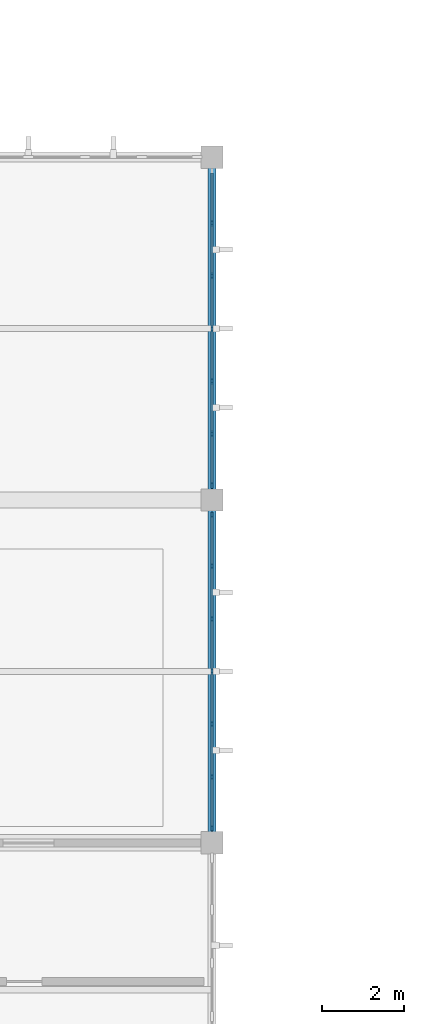
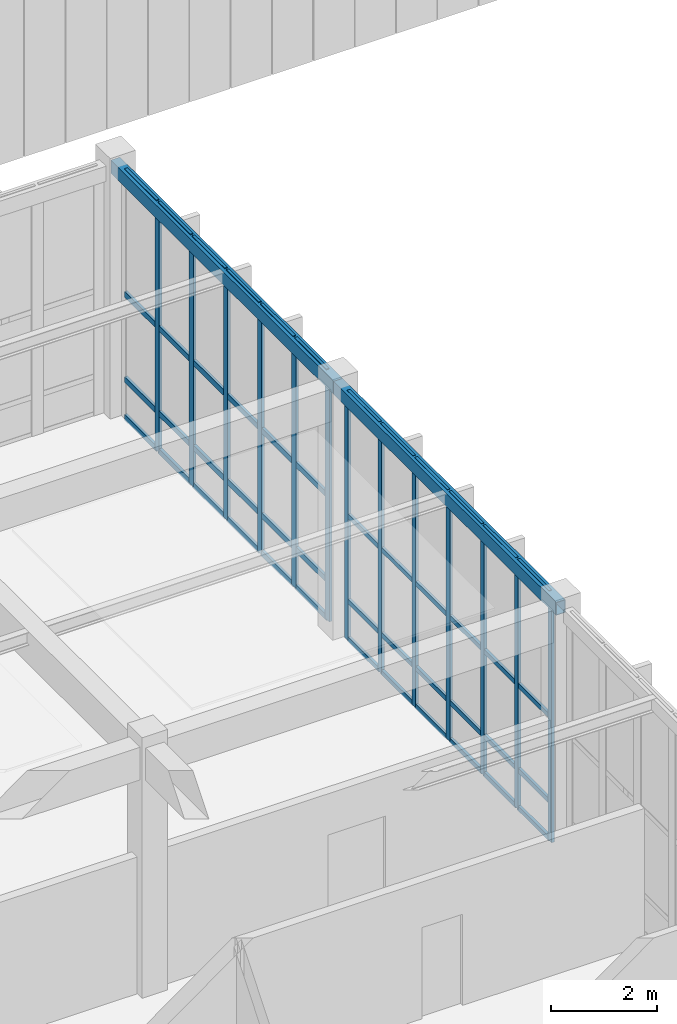
# One storey, part 23 of 105: 61 members, 2 beams, 2 elements without a shape of their own.
"""IFC4 building model written with IfcOpenShell, lengths in metres."""

from ifc_helpers import new_model, si_unit, direction, frame, origin, origin_2d, place, context, subcontext, project, spatial, rectangle, hollow_rectangle, extrude, material, material_profile, profile_set, type_object, element, aggregate, save


model = new_model("IFC4")

# Units and contexts
model_context = context("Model", 3, precision=1e-05, world=origin(), true_north=direction((0.0, 1.0)))
body_context = subcontext(model_context, "Body", "Model", "MODEL_VIEW")
ifc_project = project(units=[si_unit("LENGTHUNIT", "METRE"), si_unit("AREAUNIT", "SQUARE_METRE"), si_unit("VOLUMEUNIT", "CUBIC_METRE"), si_unit("PLANEANGLEUNIT", "RADIAN"), si_unit("MASSUNIT", "GRAM", prefix="KILO")], contexts=[model_context])

# Site, building, storey
site_placement = place(None, origin())
site = spatial("IfcSite", under=ifc_project, at=site_placement, CompositionType="ELEMENT")
building_placement = place(site_placement, origin())
building = spatial("IfcBuilding", under=site, at=building_placement, Name="Tizgana Railside Sports Hall", CompositionType="ELEMENT")
storey_placement = place(building_placement, frame((0.0, 0.0, 6.0)))
storey = spatial("IfcBuildingStorey", under=building, at=storey_placement, Name="L01", CompositionType="ELEMENT", Elevation=6.0)

# Curtain wall, members
ifc_material_1 = material(Name="Anodised aluminium and glass", Category="aluminium")
curtain_wall_type_1 = type_object("IfcCurtainWallType", Name="Unitised Curtain Wall WestHall 1560", PredefinedType="NOTDEFINED", material=ifc_material_1)
curtain_wall_1_placement = place(storey_placement, origin())
curtain_wall_1 = element("IfcCurtainWall", 1, at=curtain_wall_1_placement, inside=storey, type_object=curtain_wall_type_1, Name="L01 Curtain Wall CW-0102", PredefinedType="NOTDEFINED")
ifc_material_2 = material(Name="Anodised aluminium", Category="aluminium")
ifc_material_profile_1 = material_profile(ifc_material_2, rectangle(XDim=0.06005859375, YDim=0.139892578125, at=origin_2d()), Name="Mullion 60x140")
ifc_profile_set_1 = profile_set([ifc_material_profile_1], Name="Anodised aluminium")
member_type_1 = type_object("IfcMemberType", Name="Mullion 60x140", PredefinedType="MULLION", material=ifc_profile_set_1)
member_1_placement = place(storey_placement, frame((97.800048828125, 23.639892578125, 0.0), z_axis=(0.0, 0.0, 1.0), x_axis=(1.0, 0.0, 0.0)))
member_1 = element("IfcMember", 2, at=member_1_placement, type_object=member_type_1, Name="CW-07 mullion 1", PredefinedType="MULLION", context=body_context, shape_type="SweptSolid", body=[
    extrude(rectangle(XDim=0.06005859375, YDim=0.139892578125, at=origin_2d()), origin(), (0.0, 0.0, 1.0), 5.719970703125),
])
member_2_placement = place(storey_placement, frame((97.800048828125, 22.3798828125, 0.0), z_axis=(0.0, 0.0, 1.0), x_axis=(1.0, 0.0, 0.0)))
member_2 = element("IfcMember", 3, at=member_2_placement, type_object=member_type_1, Name="CW-07 mullion 2", PredefinedType="MULLION", context=body_context, shape_type="SweptSolid", body=[
    extrude(rectangle(XDim=0.06005859375, YDim=0.139892578125, at=origin_2d()), origin(), (0.0, 0.0, 1.0), 5.719970703125),
])
member_3_placement = place(storey_placement, frame((97.800048828125, 21.090087890625, 0.0), z_axis=(0.0, 0.0, 1.0), x_axis=(1.0, 0.0, 0.0)))
member_3 = element("IfcMember", 4, at=member_3_placement, type_object=member_type_1, Name="CW-07 mullion 3", PredefinedType="MULLION", context=body_context, shape_type="SweptSolid", body=[
    extrude(rectangle(XDim=0.06005859375, YDim=0.139892578125, at=origin_2d()), origin(), (0.0, 0.0, 1.0), 5.719970703125),
])
member_4_placement = place(storey_placement, frame((97.800048828125, 19.800048828125, 0.0), z_axis=(0.0, 0.0, 1.0), x_axis=(1.0, 0.0, 0.0)))
member_4 = element("IfcMember", 5, at=member_4_placement, type_object=member_type_1, Name="CW-07 mullion 4", PredefinedType="MULLION", context=body_context, shape_type="SweptSolid", body=[
    extrude(rectangle(XDim=0.06005859375, YDim=0.139892578125, at=origin_2d()), origin(), (0.0, 0.0, 1.0), 5.719970703125),
])
member_5_placement = place(storey_placement, frame((97.800048828125, 18.510009765625, 0.0), z_axis=(0.0, 0.0, 1.0), x_axis=(1.0, 0.0, 0.0)))
member_5 = element("IfcMember", 6, at=member_5_placement, type_object=member_type_1, Name="CW-07 mullion 5", PredefinedType="MULLION", context=body_context, shape_type="SweptSolid", body=[
    extrude(rectangle(XDim=0.06005859375, YDim=0.139892578125, at=origin_2d()), origin(), (0.0, 0.0, 1.0), 5.719970703125),
])
member_6_placement = place(storey_placement, frame((97.800048828125, 17.219970703125, 0.0), z_axis=(0.0, 0.0, 1.0), x_axis=(1.0, 0.0, 0.0)))
member_6 = element("IfcMember", 7, at=member_6_placement, type_object=member_type_1, Name="CW-07 mullion 6", PredefinedType="MULLION", context=body_context, shape_type="SweptSolid", body=[
    extrude(rectangle(XDim=0.06005859375, YDim=0.139892578125, at=origin_2d()), origin(), (0.0, 0.0, 1.0), 5.719970703125),
])
member_7_placement = place(storey_placement, frame((97.800048828125, 15.9599609375, 0.0), z_axis=(0.0, 0.0, 1.0), x_axis=(1.0, 0.0, 0.0)))
member_7 = element("IfcMember", 8, at=member_7_placement, type_object=member_type_1, Name="CW-07 mullion 7", PredefinedType="MULLION", context=body_context, shape_type="SweptSolid", body=[
    extrude(rectangle(XDim=0.06005859375, YDim=0.139892578125, at=origin_2d()), origin(), (0.0, 0.0, 1.0), 5.719970703125),
])

curtain_wall_type_2 = type_object("IfcCurtainWallType", Name="Unitised Curtain Wall EastHall 1500", PredefinedType="NOTDEFINED", material=ifc_material_1)
curtain_wall_2_placement = place(storey_placement, origin())
curtain_wall_2 = element("IfcCurtainWall", 9, at=curtain_wall_2_placement, inside=storey, type_object=curtain_wall_type_2, Name="L01 Curtain Wall CW-0103", PredefinedType="NOTDEFINED")
ifc_material_profile_2 = material_profile(ifc_material_2, rectangle(XDim=0.06005859375, YDim=0.159912109375, at=origin_2d()), Name="Mullion 60x160")
ifc_profile_set_2 = profile_set([ifc_material_profile_2], Name="Anodised aluminium")
member_type_2 = type_object("IfcMemberType", Name="Mullion 60x160", PredefinedType="MULLION", material=ifc_profile_set_2)
member_8_placement = place(storey_placement, frame((97.800048828125, 30.780029296875, 0.0), z_axis=(0.0, 0.0, 1.0), x_axis=(1.0, 0.0, 0.0)))
member_8 = element("IfcMember", 10, at=member_8_placement, type_object=member_type_2, Name="CW-08 mullion 2", PredefinedType="MULLION", context=body_context, shape_type="SweptSolid", body=[
    extrude(rectangle(XDim=0.06005859375, YDim=0.159912109375, at=origin_2d()), origin(), (0.0, 0.0, 1.0), 5.719970703125),
])
member_9_placement = place(storey_placement, frame((97.800048828125, 29.489990234375, 0.0), z_axis=(0.0, 0.0, 1.0), x_axis=(1.0, 0.0, 0.0)))
member_9 = element("IfcMember", 11, at=member_9_placement, type_object=member_type_2, Name="CW-08 mullion 3", PredefinedType="MULLION", context=body_context, shape_type="SweptSolid", body=[
    extrude(rectangle(XDim=0.06005859375, YDim=0.159912109375, at=origin_2d()), origin(), (0.0, 0.0, 1.0), 5.719970703125),
])
member_10_placement = place(storey_placement, frame((97.800048828125, 28.199951171875, 0.0), z_axis=(0.0, 0.0, 1.0), x_axis=(1.0, 0.0, 0.0)))
member_10 = element("IfcMember", 12, at=member_10_placement, type_object=member_type_2, Name="CW-08 mullion 4", PredefinedType="MULLION", context=body_context, shape_type="SweptSolid", body=[
    extrude(rectangle(XDim=0.06005859375, YDim=0.159912109375, at=origin_2d()), origin(), (0.0, 0.0, 1.0), 5.719970703125),
])
member_11_placement = place(storey_placement, frame((97.800048828125, 26.909912109375, 0.0), z_axis=(0.0, 0.0, 1.0), x_axis=(1.0, 0.0, 0.0)))
member_11 = element("IfcMember", 13, at=member_11_placement, type_object=member_type_2, Name="CW-08 mullion 5", PredefinedType="MULLION", context=body_context, shape_type="SweptSolid", body=[
    extrude(rectangle(XDim=0.06005859375, YDim=0.159912109375, at=origin_2d()), origin(), (0.0, 0.0, 1.0), 5.719970703125),
])
member_12_placement = place(storey_placement, frame((97.800048828125, 25.6201171875, 0.0), z_axis=(0.0, 0.0, 1.0), x_axis=(1.0, 0.0, 0.0)))
member_12 = element("IfcMember", 14, at=member_12_placement, type_object=member_type_2, Name="CW-08 mullion 6", PredefinedType="MULLION", context=body_context, shape_type="SweptSolid", body=[
    extrude(rectangle(XDim=0.06005859375, YDim=0.159912109375, at=origin_2d()), origin(), (0.0, 0.0, 1.0), 5.719970703125),
])
member_13_placement = place(storey_placement, frame((97.800048828125, 24.360107421875, 0.0), z_axis=(0.0, 0.0, 1.0), x_axis=(1.0, 0.0, 0.0)))
member_13 = element("IfcMember", 15, at=member_13_placement, type_object=member_type_2, Name="CW-08 mullion 7", PredefinedType="MULLION", context=body_context, shape_type="SweptSolid", body=[
    extrude(rectangle(XDim=0.06005859375, YDim=0.159912109375, at=origin_2d()), origin(), (0.0, 0.0, 1.0), 5.719970703125),
])

# Beams
ifc_material_3 = material(Name="Steel S355J2", Category="steel")
ifc_material_profile_3 = material_profile(ifc_material_3, hollow_rectangle(XDim=0.199951171875, YDim=0.300048828125, WallThickness=0.010009765625, at=origin_2d()), Name="RHS 300x200x10")
ifc_profile_set_3 = profile_set([ifc_material_profile_3], Name="Steel S355J2")
beam_type = type_object("IfcBeamType", Name="Steel Spandrel RHS 300x200x10", PredefinedType="SPANDREL", material=ifc_profile_set_3)
for number, where, z_axis, x_axis, name in (
    (16, (97.800048828125, 15.60009765625, 5.5859375), (0.0, 1.0, 0.0), (-1.0, 0.0, 0.0), "L01 BEM-0508"),
    (17, (97.800048828125, 24.0, 5.5859375), (0.0, 1.0, 0.0), (-1.0, 0.0, 0.0), "L01 BEM-0509"),
):
    element("IfcBeam", number, at=place(storey_placement, frame(where, z_axis=z_axis, x_axis=x_axis)), inside=storey, type_object=beam_type, Name=name, PredefinedType="SPANDREL", context=body_context, shape_type="SweptSolid", body=[
        extrude(hollow_rectangle(XDim=0.199951171875, YDim=0.300048828125, WallThickness=0.010009765625, at=origin_2d()), origin(), (0.0, 0.0, 1.0), 8.39990234375),
    ])

# Member
ifc_material_profile_4 = material_profile(ifc_material_2, rectangle(XDim=0.06005859375, YDim=0.110107421875, at=origin_2d()), Name="Transom 60x110")
ifc_profile_set_4 = profile_set([ifc_material_profile_4], Name="Anodised aluminium")
member_type_3 = type_object("IfcMemberType", Name="Transom 60x110", PredefinedType="USERDEFINED", material=ifc_profile_set_4)
member_14_placement = place(storey_placement, frame((97.800048828125, 23.610107421875, 0.030029296875), z_axis=(0.0, -1.0, 0.0), x_axis=(1.0, 0.0, 0.0)))
member_14 = element("IfcMember", 18, at=member_14_placement, type_object=member_type_3, Name="CW-07 transom 1.1", ObjectType="TRANSOM", PredefinedType="USERDEFINED", context=body_context, shape_type="SweptSolid", body=[
    extrude(rectangle(XDim=0.06005859375, YDim=0.110107421875, at=origin_2d()), origin(), (0.0, 0.0, 1.0), 1.2001953125),
])

member_15_placement = place(storey_placement, frame((97.800048828125, 23.610107421875, 0.89990234375), z_axis=(0.0, -1.0, 0.0), x_axis=(1.0, 0.0, 0.0)))
member_15 = element("IfcMember", 19, at=member_15_placement, type_object=member_type_3, Name="CW-07 transom 1.2", ObjectType="TRANSOM", PredefinedType="USERDEFINED", context=body_context, shape_type="SweptSolid", body=[
    extrude(rectangle(XDim=0.06005859375, YDim=0.110107421875, at=origin_2d()), origin(), (0.0, 0.0, 1.0), 1.2001953125),
])

member_16_placement = place(storey_placement, frame((97.800048828125, 23.610107421875, 2.860107421875), z_axis=(0.0, -1.0, 0.0), x_axis=(1.0, 0.0, 0.0)))
member_16 = element("IfcMember", 20, at=member_16_placement, type_object=member_type_3, Name="CW-07 transom 1.3", ObjectType="TRANSOM", PredefinedType="USERDEFINED", context=body_context, shape_type="SweptSolid", body=[
    extrude(rectangle(XDim=0.06005859375, YDim=0.110107421875, at=origin_2d()), origin(), (0.0, 0.0, 1.0), 1.2001953125),
])

member_17_placement = place(storey_placement, frame((97.800048828125, 23.610107421875, 5.68994140625), z_axis=(0.0, -1.0, 0.0), x_axis=(1.0, 0.0, 0.0)))
member_17 = element("IfcMember", 21, at=member_17_placement, type_object=member_type_3, Name="CW-07 transom 1.4", ObjectType="TRANSOM", PredefinedType="USERDEFINED", context=body_context, shape_type="SweptSolid", body=[
    extrude(rectangle(XDim=0.06005859375, YDim=0.110107421875, at=origin_2d()), origin(), (0.0, 0.0, 1.0), 1.2001953125),
])

member_18_placement = place(storey_placement, frame((97.800048828125, 22.35009765625, 0.030029296875), z_axis=(0.0, -1.0, 0.0), x_axis=(1.0, 0.0, 0.0)))
member_18 = element("IfcMember", 22, at=member_18_placement, type_object=member_type_3, Name="CW-07 transom 2.1", ObjectType="TRANSOM", PredefinedType="USERDEFINED", context=body_context, shape_type="SweptSolid", body=[
    extrude(rectangle(XDim=0.06005859375, YDim=0.110107421875, at=origin_2d()), origin(), (0.0, 0.0, 1.0), 1.22998046875),
])

member_19_placement = place(storey_placement, frame((97.800048828125, 22.35009765625, 0.89990234375), z_axis=(0.0, -1.0, 0.0), x_axis=(1.0, 0.0, 0.0)))
member_19 = element("IfcMember", 23, at=member_19_placement, type_object=member_type_3, Name="CW-07 transom 2.2", ObjectType="TRANSOM", PredefinedType="USERDEFINED", context=body_context, shape_type="SweptSolid", body=[
    extrude(rectangle(XDim=0.06005859375, YDim=0.110107421875, at=origin_2d()), origin(), (0.0, 0.0, 1.0), 1.22998046875),
])

member_20_placement = place(storey_placement, frame((97.800048828125, 22.35009765625, 2.860107421875), z_axis=(0.0, -1.0, 0.0), x_axis=(1.0, 0.0, 0.0)))
member_20 = element("IfcMember", 24, at=member_20_placement, type_object=member_type_3, Name="CW-07 transom 2.3", ObjectType="TRANSOM", PredefinedType="USERDEFINED", context=body_context, shape_type="SweptSolid", body=[
    extrude(rectangle(XDim=0.06005859375, YDim=0.110107421875, at=origin_2d()), origin(), (0.0, 0.0, 1.0), 1.22998046875),
])

member_21_placement = place(storey_placement, frame((97.800048828125, 22.35009765625, 5.68994140625), z_axis=(0.0, -1.0, 0.0), x_axis=(1.0, 0.0, 0.0)))
member_21 = element("IfcMember", 25, at=member_21_placement, type_object=member_type_3, Name="CW-07 transom 2.4", ObjectType="TRANSOM", PredefinedType="USERDEFINED", context=body_context, shape_type="SweptSolid", body=[
    extrude(rectangle(XDim=0.06005859375, YDim=0.110107421875, at=origin_2d()), origin(), (0.0, 0.0, 1.0), 1.22998046875),
])

member_22_placement = place(storey_placement, frame((97.800048828125, 21.06005859375, 0.030029296875), z_axis=(0.0, -1.0, 0.0), x_axis=(1.0, 0.0, 0.0)))
member_22 = element("IfcMember", 26, at=member_22_placement, type_object=member_type_3, Name="CW-07 transom 3.1", ObjectType="TRANSOM", PredefinedType="USERDEFINED", context=body_context, shape_type="SweptSolid", body=[
    extrude(rectangle(XDim=0.06005859375, YDim=0.110107421875, at=origin_2d()), origin(), (0.0, 0.0, 1.0), 1.22998046875),
])

member_23_placement = place(storey_placement, frame((97.800048828125, 21.06005859375, 0.89990234375), z_axis=(0.0, -1.0, 0.0), x_axis=(1.0, 0.0, 0.0)))
member_23 = element("IfcMember", 27, at=member_23_placement, type_object=member_type_3, Name="CW-07 transom 3.2", ObjectType="TRANSOM", PredefinedType="USERDEFINED", context=body_context, shape_type="SweptSolid", body=[
    extrude(rectangle(XDim=0.06005859375, YDim=0.110107421875, at=origin_2d()), origin(), (0.0, 0.0, 1.0), 1.22998046875),
])

member_24_placement = place(storey_placement, frame((97.800048828125, 21.06005859375, 2.860107421875), z_axis=(0.0, -1.0, 0.0), x_axis=(1.0, 0.0, 0.0)))
member_24 = element("IfcMember", 28, at=member_24_placement, type_object=member_type_3, Name="CW-07 transom 3.3", ObjectType="TRANSOM", PredefinedType="USERDEFINED", context=body_context, shape_type="SweptSolid", body=[
    extrude(rectangle(XDim=0.06005859375, YDim=0.110107421875, at=origin_2d()), origin(), (0.0, 0.0, 1.0), 1.22998046875),
])

member_25_placement = place(storey_placement, frame((97.800048828125, 21.06005859375, 5.68994140625), z_axis=(0.0, -1.0, 0.0), x_axis=(1.0, 0.0, 0.0)))
member_25 = element("IfcMember", 29, at=member_25_placement, type_object=member_type_3, Name="CW-07 transom 3.4", ObjectType="TRANSOM", PredefinedType="USERDEFINED", context=body_context, shape_type="SweptSolid", body=[
    extrude(rectangle(XDim=0.06005859375, YDim=0.110107421875, at=origin_2d()), origin(), (0.0, 0.0, 1.0), 1.22998046875),
])

member_26_placement = place(storey_placement, frame((97.800048828125, 19.77001953125, 0.030029296875), z_axis=(0.0, -1.0, 0.0), x_axis=(1.0, 0.0, 0.0)))
member_26 = element("IfcMember", 30, at=member_26_placement, type_object=member_type_3, Name="CW-07 transom 4.1", ObjectType="TRANSOM", PredefinedType="USERDEFINED", context=body_context, shape_type="SweptSolid", body=[
    extrude(rectangle(XDim=0.06005859375, YDim=0.110107421875, at=origin_2d()), origin(), (0.0, 0.0, 1.0), 1.22998046875),
])

member_27_placement = place(storey_placement, frame((97.800048828125, 19.77001953125, 0.89990234375), z_axis=(0.0, -1.0, 0.0), x_axis=(1.0, 0.0, 0.0)))
member_27 = element("IfcMember", 31, at=member_27_placement, type_object=member_type_3, Name="CW-07 transom 4.2", ObjectType="TRANSOM", PredefinedType="USERDEFINED", context=body_context, shape_type="SweptSolid", body=[
    extrude(rectangle(XDim=0.06005859375, YDim=0.110107421875, at=origin_2d()), origin(), (0.0, 0.0, 1.0), 1.22998046875),
])

member_28_placement = place(storey_placement, frame((97.800048828125, 19.77001953125, 2.860107421875), z_axis=(0.0, -1.0, 0.0), x_axis=(1.0, 0.0, 0.0)))
member_28 = element("IfcMember", 32, at=member_28_placement, type_object=member_type_3, Name="CW-07 transom 4.3", ObjectType="TRANSOM", PredefinedType="USERDEFINED", context=body_context, shape_type="SweptSolid", body=[
    extrude(rectangle(XDim=0.06005859375, YDim=0.110107421875, at=origin_2d()), origin(), (0.0, 0.0, 1.0), 1.22998046875),
])

member_29_placement = place(storey_placement, frame((97.800048828125, 19.77001953125, 5.68994140625), z_axis=(0.0, -1.0, 0.0), x_axis=(1.0, 0.0, 0.0)))
member_29 = element("IfcMember", 33, at=member_29_placement, type_object=member_type_3, Name="CW-07 transom 4.4", ObjectType="TRANSOM", PredefinedType="USERDEFINED", context=body_context, shape_type="SweptSolid", body=[
    extrude(rectangle(XDim=0.06005859375, YDim=0.110107421875, at=origin_2d()), origin(), (0.0, 0.0, 1.0), 1.22998046875),
])

member_30_placement = place(storey_placement, frame((97.800048828125, 18.47998046875, 0.030029296875), z_axis=(0.0, -1.0, 0.0), x_axis=(1.0, 0.0, 0.0)))
member_30 = element("IfcMember", 34, at=member_30_placement, type_object=member_type_3, Name="CW-07 transom 5.1", ObjectType="TRANSOM", PredefinedType="USERDEFINED", context=body_context, shape_type="SweptSolid", body=[
    extrude(rectangle(XDim=0.06005859375, YDim=0.110107421875, at=origin_2d()), origin(), (0.0, 0.0, 1.0), 1.22998046875),
])

member_31_placement = place(storey_placement, frame((97.800048828125, 18.47998046875, 0.89990234375), z_axis=(0.0, -1.0, 0.0), x_axis=(1.0, 0.0, 0.0)))
member_31 = element("IfcMember", 35, at=member_31_placement, type_object=member_type_3, Name="CW-07 transom 5.2", ObjectType="TRANSOM", PredefinedType="USERDEFINED", context=body_context, shape_type="SweptSolid", body=[
    extrude(rectangle(XDim=0.06005859375, YDim=0.110107421875, at=origin_2d()), origin(), (0.0, 0.0, 1.0), 1.22998046875),
])

member_32_placement = place(storey_placement, frame((97.800048828125, 18.47998046875, 2.860107421875), z_axis=(0.0, -1.0, 0.0), x_axis=(1.0, 0.0, 0.0)))
member_32 = element("IfcMember", 36, at=member_32_placement, type_object=member_type_3, Name="CW-07 transom 5.3", ObjectType="TRANSOM", PredefinedType="USERDEFINED", context=body_context, shape_type="SweptSolid", body=[
    extrude(rectangle(XDim=0.06005859375, YDim=0.110107421875, at=origin_2d()), origin(), (0.0, 0.0, 1.0), 1.22998046875),
])

member_33_placement = place(storey_placement, frame((97.800048828125, 18.47998046875, 5.68994140625), z_axis=(0.0, -1.0, 0.0), x_axis=(1.0, 0.0, 0.0)))
member_33 = element("IfcMember", 37, at=member_33_placement, type_object=member_type_3, Name="CW-07 transom 5.4", ObjectType="TRANSOM", PredefinedType="USERDEFINED", context=body_context, shape_type="SweptSolid", body=[
    extrude(rectangle(XDim=0.06005859375, YDim=0.110107421875, at=origin_2d()), origin(), (0.0, 0.0, 1.0), 1.22998046875),
])

member_34_placement = place(storey_placement, frame((97.800048828125, 17.18994140625, 0.030029296875), z_axis=(0.0, -1.0, 0.0), x_axis=(1.0, 0.0, 0.0)))
member_34 = element("IfcMember", 38, at=member_34_placement, type_object=member_type_3, Name="CW-07 transom 6.1", ObjectType="TRANSOM", PredefinedType="USERDEFINED", context=body_context, shape_type="SweptSolid", body=[
    extrude(rectangle(XDim=0.06005859375, YDim=0.110107421875, at=origin_2d()), origin(), (0.0, 0.0, 1.0), 1.199951171875),
])

member_35_placement = place(storey_placement, frame((97.800048828125, 17.18994140625, 0.89990234375), z_axis=(0.0, -1.0, 0.0), x_axis=(1.0, 0.0, 0.0)))
member_35 = element("IfcMember", 39, at=member_35_placement, type_object=member_type_3, Name="CW-07 transom 6.2", ObjectType="TRANSOM", PredefinedType="USERDEFINED", context=body_context, shape_type="SweptSolid", body=[
    extrude(rectangle(XDim=0.06005859375, YDim=0.110107421875, at=origin_2d()), origin(), (0.0, 0.0, 1.0), 1.199951171875),
])

member_36_placement = place(storey_placement, frame((97.800048828125, 17.18994140625, 2.860107421875), z_axis=(0.0, -1.0, 0.0), x_axis=(1.0, 0.0, 0.0)))
member_36 = element("IfcMember", 40, at=member_36_placement, type_object=member_type_3, Name="CW-07 transom 6.3", ObjectType="TRANSOM", PredefinedType="USERDEFINED", context=body_context, shape_type="SweptSolid", body=[
    extrude(rectangle(XDim=0.06005859375, YDim=0.110107421875, at=origin_2d()), origin(), (0.0, 0.0, 1.0), 1.199951171875),
])

member_37_placement = place(storey_placement, frame((97.800048828125, 17.18994140625, 5.68994140625), z_axis=(0.0, -1.0, 0.0), x_axis=(1.0, 0.0, 0.0)))
member_37 = element("IfcMember", 41, at=member_37_placement, type_object=member_type_3, Name="CW-07 transom 6.4", ObjectType="TRANSOM", PredefinedType="USERDEFINED", context=body_context, shape_type="SweptSolid", body=[
    extrude(rectangle(XDim=0.06005859375, YDim=0.110107421875, at=origin_2d()), origin(), (0.0, 0.0, 1.0), 1.199951171875),
])

aggregate(curtain_wall_1, [member_1, member_2, member_3, member_4, member_5, member_6, member_7, member_14, member_15, member_16, member_17, member_18, member_19, member_20, member_21, member_22, member_23, member_24, member_25, member_26, member_27, member_28, member_29, member_30, member_31, member_32, member_33, member_34, member_35, member_36, member_37])

ifc_material_profile_5 = material_profile(ifc_material_2, rectangle(XDim=0.06005859375, YDim=0.1298828125, at=origin_2d()), Name="Transom 60x130")
ifc_profile_set_5 = profile_set([ifc_material_profile_5], Name="Anodised aluminium")
member_type_4 = type_object("IfcMemberType", Name="Transom 60x130", PredefinedType="USERDEFINED", material=ifc_profile_set_5)
member_38_placement = place(storey_placement, frame((97.800048828125, 32.010009765625, 0.030029296875), z_axis=(0.0, -1.0, 0.0), x_axis=(1.0, 0.0, 0.0)))
member_38 = element("IfcMember", 42, at=member_38_placement, type_object=member_type_4, Name="CW-08 transom 1.1", ObjectType="TRANSOM", PredefinedType="USERDEFINED", context=body_context, shape_type="SweptSolid", body=[
    extrude(rectangle(XDim=0.06005859375, YDim=0.1298828125, at=origin_2d()), origin(), (0.0, 0.0, 1.0), 1.199951171875),
])

member_39_placement = place(storey_placement, frame((97.800048828125, 32.010009765625, 0.89990234375), z_axis=(0.0, -1.0, 0.0), x_axis=(1.0, 0.0, 0.0)))
member_39 = element("IfcMember", 43, at=member_39_placement, type_object=member_type_4, Name="CW-08 transom 1.2", ObjectType="TRANSOM", PredefinedType="USERDEFINED", context=body_context, shape_type="SweptSolid", body=[
    extrude(rectangle(XDim=0.06005859375, YDim=0.1298828125, at=origin_2d()), origin(), (0.0, 0.0, 1.0), 1.199951171875),
])

member_40_placement = place(storey_placement, frame((97.800048828125, 32.010009765625, 2.860107421875), z_axis=(0.0, -1.0, 0.0), x_axis=(1.0, 0.0, 0.0)))
member_40 = element("IfcMember", 44, at=member_40_placement, type_object=member_type_4, Name="CW-08 transom 1.3", ObjectType="TRANSOM", PredefinedType="USERDEFINED", context=body_context, shape_type="SweptSolid", body=[
    extrude(rectangle(XDim=0.06005859375, YDim=0.1298828125, at=origin_2d()), origin(), (0.0, 0.0, 1.0), 1.199951171875),
])

member_41_placement = place(storey_placement, frame((97.800048828125, 32.010009765625, 5.68994140625), z_axis=(0.0, -1.0, 0.0), x_axis=(1.0, 0.0, 0.0)))
member_41 = element("IfcMember", 45, at=member_41_placement, type_object=member_type_4, Name="CW-08 transom 1.4", ObjectType="TRANSOM", PredefinedType="USERDEFINED", context=body_context, shape_type="SweptSolid", body=[
    extrude(rectangle(XDim=0.06005859375, YDim=0.1298828125, at=origin_2d()), origin(), (0.0, 0.0, 1.0), 1.199951171875),
])

member_42_placement = place(storey_placement, frame((97.800048828125, 30.75, 0.030029296875), z_axis=(0.0, -1.0, 0.0), x_axis=(1.0, 0.0, 0.0)))
member_42 = element("IfcMember", 46, at=member_42_placement, type_object=member_type_4, Name="CW-08 transom 2.1", ObjectType="TRANSOM", PredefinedType="USERDEFINED", context=body_context, shape_type="SweptSolid", body=[
    extrude(rectangle(XDim=0.06005859375, YDim=0.1298828125, at=origin_2d()), origin(), (0.0, 0.0, 1.0), 1.22998046875),
])

member_43_placement = place(storey_placement, frame((97.800048828125, 30.75, 0.89990234375), z_axis=(0.0, -1.0, 0.0), x_axis=(1.0, 0.0, 0.0)))
member_43 = element("IfcMember", 47, at=member_43_placement, type_object=member_type_4, Name="CW-08 transom 2.2", ObjectType="TRANSOM", PredefinedType="USERDEFINED", context=body_context, shape_type="SweptSolid", body=[
    extrude(rectangle(XDim=0.06005859375, YDim=0.1298828125, at=origin_2d()), origin(), (0.0, 0.0, 1.0), 1.22998046875),
])

member_44_placement = place(storey_placement, frame((97.800048828125, 30.75, 2.860107421875), z_axis=(0.0, -1.0, 0.0), x_axis=(1.0, 0.0, 0.0)))
member_44 = element("IfcMember", 48, at=member_44_placement, type_object=member_type_4, Name="CW-08 transom 2.3", ObjectType="TRANSOM", PredefinedType="USERDEFINED", context=body_context, shape_type="SweptSolid", body=[
    extrude(rectangle(XDim=0.06005859375, YDim=0.1298828125, at=origin_2d()), origin(), (0.0, 0.0, 1.0), 1.22998046875),
])

member_45_placement = place(storey_placement, frame((97.800048828125, 30.75, 5.68994140625), z_axis=(0.0, -1.0, 0.0), x_axis=(1.0, 0.0, 0.0)))
member_45 = element("IfcMember", 49, at=member_45_placement, type_object=member_type_4, Name="CW-08 transom 2.4", ObjectType="TRANSOM", PredefinedType="USERDEFINED", context=body_context, shape_type="SweptSolid", body=[
    extrude(rectangle(XDim=0.06005859375, YDim=0.1298828125, at=origin_2d()), origin(), (0.0, 0.0, 1.0), 1.22998046875),
])

member_46_placement = place(storey_placement, frame((97.800048828125, 29.4599609375, 0.030029296875), z_axis=(0.0, -1.0, 0.0), x_axis=(1.0, 0.0, 0.0)))
member_46 = element("IfcMember", 50, at=member_46_placement, type_object=member_type_4, Name="CW-08 transom 3.1", ObjectType="TRANSOM", PredefinedType="USERDEFINED", context=body_context, shape_type="SweptSolid", body=[
    extrude(rectangle(XDim=0.06005859375, YDim=0.1298828125, at=origin_2d()), origin(), (0.0, 0.0, 1.0), 1.22998046875),
])

member_47_placement = place(storey_placement, frame((97.800048828125, 29.4599609375, 0.89990234375), z_axis=(0.0, -1.0, 0.0), x_axis=(1.0, 0.0, 0.0)))
member_47 = element("IfcMember", 51, at=member_47_placement, type_object=member_type_4, Name="CW-08 transom 3.2", ObjectType="TRANSOM", PredefinedType="USERDEFINED", context=body_context, shape_type="SweptSolid", body=[
    extrude(rectangle(XDim=0.06005859375, YDim=0.1298828125, at=origin_2d()), origin(), (0.0, 0.0, 1.0), 1.22998046875),
])

member_48_placement = place(storey_placement, frame((97.800048828125, 29.4599609375, 2.860107421875), z_axis=(0.0, -1.0, 0.0), x_axis=(1.0, 0.0, 0.0)))
member_48 = element("IfcMember", 52, at=member_48_placement, type_object=member_type_4, Name="CW-08 transom 3.3", ObjectType="TRANSOM", PredefinedType="USERDEFINED", context=body_context, shape_type="SweptSolid", body=[
    extrude(rectangle(XDim=0.06005859375, YDim=0.1298828125, at=origin_2d()), origin(), (0.0, 0.0, 1.0), 1.22998046875),
])

member_49_placement = place(storey_placement, frame((97.800048828125, 29.4599609375, 5.68994140625), z_axis=(0.0, -1.0, 0.0), x_axis=(1.0, 0.0, 0.0)))
member_49 = element("IfcMember", 53, at=member_49_placement, type_object=member_type_4, Name="CW-08 transom 3.4", ObjectType="TRANSOM", PredefinedType="USERDEFINED", context=body_context, shape_type="SweptSolid", body=[
    extrude(rectangle(XDim=0.06005859375, YDim=0.1298828125, at=origin_2d()), origin(), (0.0, 0.0, 1.0), 1.22998046875),
])

member_50_placement = place(storey_placement, frame((97.800048828125, 28.169921875, 0.030029296875), z_axis=(0.0, -1.0, 0.0), x_axis=(1.0, 0.0, 0.0)))
member_50 = element("IfcMember", 54, at=member_50_placement, type_object=member_type_4, Name="CW-08 transom 4.1", ObjectType="TRANSOM", PredefinedType="USERDEFINED", context=body_context, shape_type="SweptSolid", body=[
    extrude(rectangle(XDim=0.06005859375, YDim=0.1298828125, at=origin_2d()), origin(), (0.0, 0.0, 1.0), 1.22998046875),
])

member_51_placement = place(storey_placement, frame((97.800048828125, 28.169921875, 0.89990234375), z_axis=(0.0, -1.0, 0.0), x_axis=(1.0, 0.0, 0.0)))
member_51 = element("IfcMember", 55, at=member_51_placement, type_object=member_type_4, Name="CW-08 transom 4.2", ObjectType="TRANSOM", PredefinedType="USERDEFINED", context=body_context, shape_type="SweptSolid", body=[
    extrude(rectangle(XDim=0.06005859375, YDim=0.1298828125, at=origin_2d()), origin(), (0.0, 0.0, 1.0), 1.22998046875),
])

member_52_placement = place(storey_placement, frame((97.800048828125, 28.169921875, 2.860107421875), z_axis=(0.0, -1.0, 0.0), x_axis=(1.0, 0.0, 0.0)))
member_52 = element("IfcMember", 56, at=member_52_placement, type_object=member_type_4, Name="CW-08 transom 4.3", ObjectType="TRANSOM", PredefinedType="USERDEFINED", context=body_context, shape_type="SweptSolid", body=[
    extrude(rectangle(XDim=0.06005859375, YDim=0.1298828125, at=origin_2d()), origin(), (0.0, 0.0, 1.0), 1.22998046875),
])

member_53_placement = place(storey_placement, frame((97.800048828125, 28.169921875, 5.68994140625), z_axis=(0.0, -1.0, 0.0), x_axis=(1.0, 0.0, 0.0)))
member_53 = element("IfcMember", 57, at=member_53_placement, type_object=member_type_4, Name="CW-08 transom 4.4", ObjectType="TRANSOM", PredefinedType="USERDEFINED", context=body_context, shape_type="SweptSolid", body=[
    extrude(rectangle(XDim=0.06005859375, YDim=0.1298828125, at=origin_2d()), origin(), (0.0, 0.0, 1.0), 1.22998046875),
])

member_54_placement = place(storey_placement, frame((97.800048828125, 26.8798828125, 0.030029296875), z_axis=(0.0, -1.0, 0.0), x_axis=(1.0, 0.0, 0.0)))
member_54 = element("IfcMember", 58, at=member_54_placement, type_object=member_type_4, Name="CW-08 transom 5.1", ObjectType="TRANSOM", PredefinedType="USERDEFINED", context=body_context, shape_type="SweptSolid", body=[
    extrude(rectangle(XDim=0.06005859375, YDim=0.1298828125, at=origin_2d()), origin(), (0.0, 0.0, 1.0), 1.22998046875),
])

member_55_placement = place(storey_placement, frame((97.800048828125, 26.8798828125, 0.89990234375), z_axis=(0.0, -1.0, 0.0), x_axis=(1.0, 0.0, 0.0)))
member_55 = element("IfcMember", 59, at=member_55_placement, type_object=member_type_4, Name="CW-08 transom 5.2", ObjectType="TRANSOM", PredefinedType="USERDEFINED", context=body_context, shape_type="SweptSolid", body=[
    extrude(rectangle(XDim=0.06005859375, YDim=0.1298828125, at=origin_2d()), origin(), (0.0, 0.0, 1.0), 1.22998046875),
])

member_56_placement = place(storey_placement, frame((97.800048828125, 26.8798828125, 2.860107421875), z_axis=(0.0, -1.0, 0.0), x_axis=(1.0, 0.0, 0.0)))
member_56 = element("IfcMember", 60, at=member_56_placement, type_object=member_type_4, Name="CW-08 transom 5.3", ObjectType="TRANSOM", PredefinedType="USERDEFINED", context=body_context, shape_type="SweptSolid", body=[
    extrude(rectangle(XDim=0.06005859375, YDim=0.1298828125, at=origin_2d()), origin(), (0.0, 0.0, 1.0), 1.22998046875),
])

member_57_placement = place(storey_placement, frame((97.800048828125, 26.8798828125, 5.68994140625), z_axis=(0.0, -1.0, 0.0), x_axis=(1.0, 0.0, 0.0)))
member_57 = element("IfcMember", 61, at=member_57_placement, type_object=member_type_4, Name="CW-08 transom 5.4", ObjectType="TRANSOM", PredefinedType="USERDEFINED", context=body_context, shape_type="SweptSolid", body=[
    extrude(rectangle(XDim=0.06005859375, YDim=0.1298828125, at=origin_2d()), origin(), (0.0, 0.0, 1.0), 1.22998046875),
])

member_58_placement = place(storey_placement, frame((97.800048828125, 25.590087890625, 0.030029296875), z_axis=(0.0, -1.0, 0.0), x_axis=(1.0, 0.0, 0.0)))
member_58 = element("IfcMember", 62, at=member_58_placement, type_object=member_type_4, Name="CW-08 transom 6.1", ObjectType="TRANSOM", PredefinedType="USERDEFINED", context=body_context, shape_type="SweptSolid", body=[
    extrude(rectangle(XDim=0.06005859375, YDim=0.1298828125, at=origin_2d()), origin(), (0.0, 0.0, 1.0), 1.2001953125),
])

member_59_placement = place(storey_placement, frame((97.800048828125, 25.590087890625, 0.89990234375), z_axis=(0.0, -1.0, 0.0), x_axis=(1.0, 0.0, 0.0)))
member_59 = element("IfcMember", 63, at=member_59_placement, type_object=member_type_4, Name="CW-08 transom 6.2", ObjectType="TRANSOM", PredefinedType="USERDEFINED", context=body_context, shape_type="SweptSolid", body=[
    extrude(rectangle(XDim=0.06005859375, YDim=0.1298828125, at=origin_2d()), origin(), (0.0, 0.0, 1.0), 1.2001953125),
])

member_60_placement = place(storey_placement, frame((97.800048828125, 25.590087890625, 2.860107421875), z_axis=(0.0, -1.0, 0.0), x_axis=(1.0, 0.0, 0.0)))
member_60 = element("IfcMember", 64, at=member_60_placement, type_object=member_type_4, Name="CW-08 transom 6.3", ObjectType="TRANSOM", PredefinedType="USERDEFINED", context=body_context, shape_type="SweptSolid", body=[
    extrude(rectangle(XDim=0.06005859375, YDim=0.1298828125, at=origin_2d()), origin(), (0.0, 0.0, 1.0), 1.2001953125),
])

member_61_placement = place(storey_placement, frame((97.800048828125, 25.590087890625, 5.68994140625), z_axis=(0.0, -1.0, 0.0), x_axis=(1.0, 0.0, 0.0)))
member_61 = element("IfcMember", 65, at=member_61_placement, type_object=member_type_4, Name="CW-08 transom 6.4", ObjectType="TRANSOM", PredefinedType="USERDEFINED", context=body_context, shape_type="SweptSolid", body=[
    extrude(rectangle(XDim=0.06005859375, YDim=0.1298828125, at=origin_2d()), origin(), (0.0, 0.0, 1.0), 1.2001953125),
])

aggregate(curtain_wall_2, [member_8, member_9, member_10, member_11, member_12, member_13, member_38, member_39, member_40, member_41, member_42, member_43, member_44, member_45, member_46, member_47, member_48, member_49, member_50, member_51, member_52, member_53, member_54, member_55, member_56, member_57, member_58, member_59, member_60, member_61])

save(model, "model.ifc")
